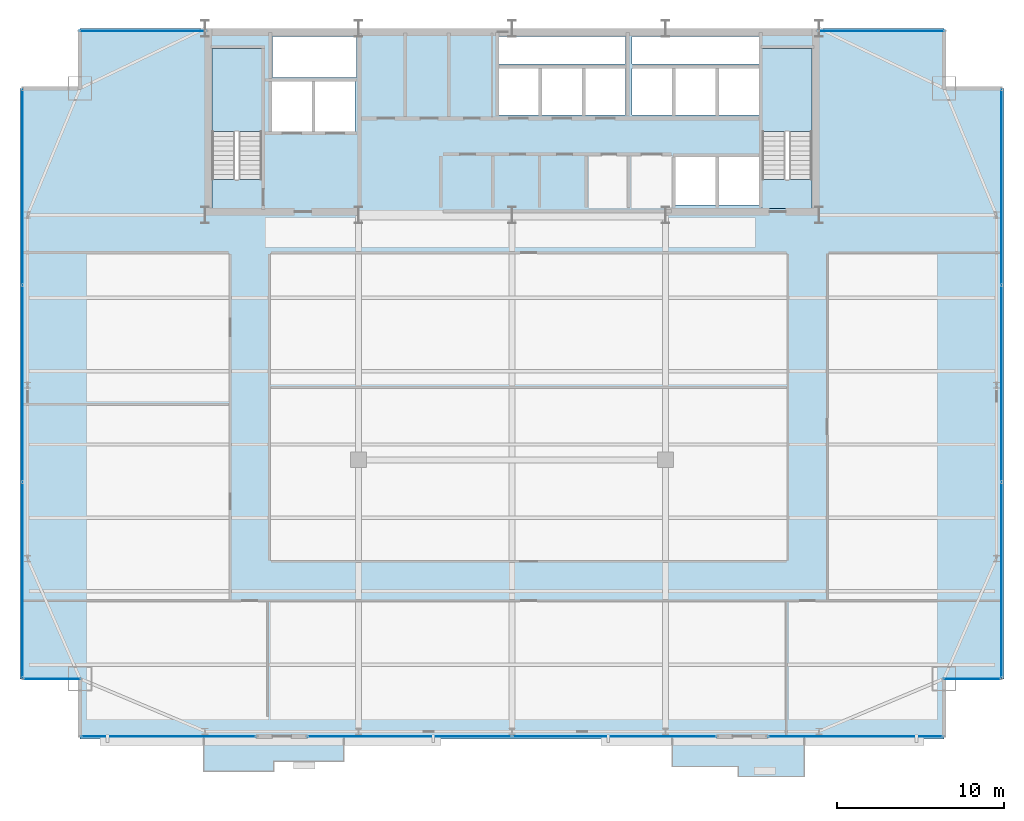
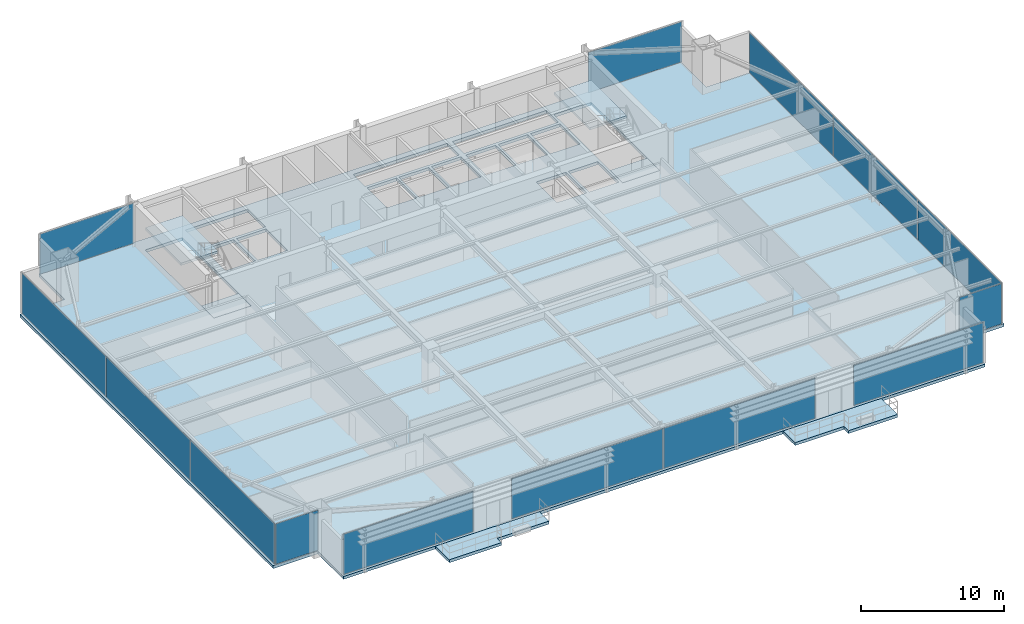
# One storey, part 27 of 34: 14 plates, 7 slabs, 11 elements without a shape of their own.
"""IFC4 building model written with IfcOpenShell, lengths in metres."""

from ifc_helpers import new_model, si_unit, direction, frame, origin, origin_2d, place, context, subcontext, project, spatial, polyline, rectangle, outline, extrude, source, transform, mapped, material, layer, layer_set, type_object, type_shapes, element, aggregate, save


model = new_model("IFC4")

# Units and contexts
model_context = context("Model", 3, precision=1e-05, world=origin(), true_north=direction((0.0, 1.0)))
body_context = subcontext(model_context, "Body", "Model", "MODEL_VIEW")
ifc_project = project(units=[si_unit("LENGTHUNIT", "METRE"), si_unit("AREAUNIT", "SQUARE_METRE"), si_unit("VOLUMEUNIT", "CUBIC_METRE"), si_unit("PLANEANGLEUNIT", "RADIAN"), si_unit("MASSUNIT", "GRAM", prefix="KILO")], contexts=[model_context])

# Site, building, storey
site_placement = place(None, origin())
site = spatial("IfcSite", under=ifc_project, at=site_placement, CompositionType="ELEMENT")
building_placement = place(site_placement, origin())
building = spatial("IfcBuilding", under=site, at=building_placement, Name="Varnel Quay Broadcast Tower", CompositionType="ELEMENT")
storey_placement = place(building_placement, frame((0.0, 0.0, 110.60009765625)))
storey = spatial("IfcBuildingStorey", under=building, at=storey_placement, Name="L26", CompositionType="ELEMENT", Elevation=110.60009765625)

# Slabs
ifc_material_1 = material(Name="Concrete CSA A23.3 C40/50", Category="concrete")
ifc_layer_1 = layer(ifc_material_1, 0.25, Name="Concrete CSA A23.3 C40/50")
ifc_layer_set_1 = layer_set([ifc_layer_1], Name="Concrete CSA A23.3 C40/50")
slab_type_1 = type_object("IfcSlabType", Name="Slab_ExtTerrace250", PredefinedType="FLOOR", material=ifc_layer_set_1)
slab_1_placement = place(storey_placement, frame((0.0, 0.0, -0.25)))
element("IfcSlab", 1, at=slab_1_placement, inside=storey, type_object=slab_type_1, Name="L26 Planted Lobe Terrace Slab 1", PredefinedType="FLOOR", context=body_context, shape_type="SweptSolid", body=[
    extrude(outline(polyline([(15.52001953125, 2.260986328125), (19.719970703125, 2.260986328125), (19.719970703125, 2.861083984375), (23.919921875, 2.861083984375), (23.919921875, 4.199951171875), (15.52001953125, 4.199951171875), (15.52001953125, 2.260986328125)])), origin(), (0.0, 0.0, 1.0), 0.25),
])
slab_2_placement = place(storey_placement, frame((0.0, 0.0, -0.25)))
element("IfcSlab", 2, at=slab_2_placement, inside=storey, type_object=slab_type_1, Name="L26 Planted Lobe Terrace Slab 2", PredefinedType="FLOOR", context=body_context, shape_type="SweptSolid", body=[
    extrude(outline(polyline([(43.60009765625, 2.5390625), (47.56005859375, 2.5390625), (47.56005859375, 1.93896484375), (51.52001953125, 1.93896484375), (51.52001953125, 4.199951171875), (43.60009765625, 4.199951171875), (43.60009765625, 2.5390625)])), origin(), (0.0, 0.0, 1.0), 0.25),
])
ifc_material_2 = material(Name="Concrete CSA A23.3 C50/60", Category="concrete")
ifc_layer_2 = layer(ifc_material_2, 0.25, Name="Concrete CSA A23.3 C50/60")
ifc_layer_set_2 = layer_set([ifc_layer_2], Name="Concrete CSA A23.3 C50/60")
slab_type_2 = type_object("IfcSlabType", Name="Slab_Floor250", PredefinedType="FLOOR", material=ifc_layer_set_2)
slab_3_placement = place(storey_placement, frame((0.0, 0.0, -0.25)))
element("IfcSlab", 3, at=slab_3_placement, inside=storey, type_object=slab_type_2, Name="L26 Structural Slab", PredefinedType="FLOOR", context=body_context, shape_type="SweptSolid", body=[
    extrude(outline(polyline([(8.10009765625, 4.199951171875), (59.89990234375, 4.199951171875), (59.89990234375, 7.800048828125), (63.5, 7.800048828125), (63.5, 43.199951171875), (59.89990234375, 43.199951171875), (59.89990234375, 46.800048828125), (8.10009765625, 46.800048828125), (8.10009765625, 43.199951171875), (4.5, 43.199951171875), (4.5, 7.800048828125), (8.10009765625, 7.800048828125), (8.10009765625, 4.199951171875)]), holes=[polyline([(19.0, 36.0), (16.0, 36.0), (16.0, 45.60009765625), (19.0, 45.60009765625), (19.0, 36.0)]), polyline([(19.60009765625, 43.60009765625), (22.0, 43.60009765625), (22.0, 40.60009765625), (19.60009765625, 40.60009765625), (19.60009765625, 43.60009765625)]), polyline([(22.199951171875, 43.60009765625), (24.60009765625, 43.60009765625), (24.60009765625, 40.60009765625), (22.199951171875, 40.60009765625), (22.199951171875, 43.60009765625)]), polyline([(33.199951171875, 44.39990234375), (35.60009765625, 44.39990234375), (35.60009765625, 41.60009765625), (33.199951171875, 41.60009765625), (33.199951171875, 44.39990234375)]), polyline([(35.800048828125, 44.39990234375), (38.199951171875, 44.39990234375), (38.199951171875, 41.60009765625), (35.800048828125, 41.60009765625), (35.800048828125, 44.39990234375)]), polyline([(38.39990234375, 44.39990234375), (40.800048828125, 44.39990234375), (40.800048828125, 41.60009765625), (38.39990234375, 41.60009765625), (38.39990234375, 44.39990234375)]), polyline([(19.64990234375, 46.300048828125), (24.679931640625, 46.300048828125), (24.679931640625, 43.85009765625), (19.64990234375, 43.85009765625), (19.64990234375, 46.300048828125)]), polyline([(33.199951171875, 46.300048828125), (40.800048828125, 46.300048828125), (40.800048828125, 44.64990234375), (33.199951171875, 44.64990234375), (33.199951171875, 46.300048828125)]), polyline([(43.800048828125, 39.10009765625), (46.199951171875, 39.10009765625), (46.199951171875, 36.199951171875), (43.800048828125, 36.199951171875), (43.800048828125, 39.10009765625)]), polyline([(46.39990234375, 39.10009765625), (48.800048828125, 39.10009765625), (48.800048828125, 36.199951171875), (46.39990234375, 36.199951171875), (46.39990234375, 39.10009765625)]), polyline([(49.0, 36.0), (49.0, 45.60009765625), (52.0, 45.60009765625), (52.0, 36.0), (49.0, 36.0)]), polyline([(41.199951171875, 44.39990234375), (43.60009765625, 44.39990234375), (43.60009765625, 41.60009765625), (41.199951171875, 41.60009765625), (41.199951171875, 44.39990234375)]), polyline([(43.800048828125, 44.39990234375), (46.199951171875, 44.39990234375), (46.199951171875, 41.60009765625), (43.800048828125, 41.60009765625), (43.800048828125, 44.39990234375)]), polyline([(46.39990234375, 44.39990234375), (48.800048828125, 44.39990234375), (48.800048828125, 41.60009765625), (46.39990234375, 41.60009765625), (46.39990234375, 44.39990234375)]), polyline([(41.199951171875, 46.300048828125), (48.800048828125, 46.300048828125), (48.800048828125, 44.64990234375), (41.199951171875, 44.64990234375), (41.199951171875, 46.300048828125)])]), origin(), (0.0, 0.0, 1.0), 0.25),
])
ifc_layer_3 = layer(ifc_material_2, 0.25, Name="Concrete CSA A23.3 C50/60")
ifc_layer_set_3 = layer_set([ifc_layer_3], Name="Concrete CSA A23.3 C50/60")
slab_type_3 = type_object("IfcSlabType", Name="Slab_StairFloorLanding250", PredefinedType="FLOOR", material=ifc_layer_set_3)
slab_4_placement = place(storey_placement, frame((0.0, 0.0, -0.25)))
element("IfcSlab", 4, at=slab_4_placement, inside=storey, type_object=slab_type_3, Name="L26 ST-01 Structural Floor Landing Slab", PredefinedType="FLOOR", context=body_context, shape_type="SweptSolid", body=[
    extrude(outline(polyline([(19.0, 36.0), (19.0, 37.75), (16.0, 37.75), (16.0, 36.0), (19.0, 36.0)])), origin(), (0.0, 0.0, 1.0), 0.25),
])
slab_5_placement = place(storey_placement, frame((0.0, 0.0, -0.25)))
element("IfcSlab", 5, at=slab_5_placement, inside=storey, type_object=slab_type_3, Name="L26 ST-02 Structural Floor Landing Slab", PredefinedType="FLOOR", context=body_context, shape_type="SweptSolid", body=[
    extrude(outline(polyline([(52.0, 36.0), (52.0, 37.75), (49.0, 37.75), (49.0, 36.0), (52.0, 36.0)])), origin(), (0.0, 0.0, 1.0), 0.25),
])

# Stair, slab
ifc_material_3 = material(Name="Precast Structural Concrete C40/50", Category="concrete")
stair_type_1 = type_object("IfcStairType", Name="Stair_ST-01", PredefinedType="HALF_TURN_STAIR", material=ifc_material_3)
stair_1_placement = place(storey_placement, origin())
stair_1 = element("IfcStair", 6, at=stair_1_placement, inside=storey, type_object=stair_type_1, Name="L26 West Core Exit Stair 1", PredefinedType="HALF_TURN_STAIR")
ifc_layer_4 = layer(ifc_material_3, 0.199951171875, Name="Precast Structural Concrete C40/50")
ifc_layer_set_4 = layer_set([ifc_layer_4], Name="Precast Structural Concrete C40/50")
slab_type_4 = type_object("IfcSlabType", Name="Slab_StairLanding200", PredefinedType="LANDING", material=ifc_layer_set_4)
slab_6_placement = place(storey_placement, frame((0.0, 0.0, 1.699951171875)))
slab_6 = element("IfcSlab", 7, at=slab_6_placement, type_object=slab_type_4, Name="ST-01 landing 1", PredefinedType="LANDING", context=body_context, shape_type="SweptSolid", body=[
    extrude(outline(polyline([(19.0, 40.60009765625), (19.0, 45.60009765625), (16.0, 45.60009765625), (16.0, 40.60009765625), (19.0, 40.60009765625)])), origin(), (0.0, 0.0, 1.0), 0.199951171875),
])
aggregate(stair_1, [slab_6])

stair_type_2 = type_object("IfcStairType", Name="Stair_ST-02", PredefinedType="HALF_TURN_STAIR", material=ifc_material_3)
stair_2_placement = place(storey_placement, origin())
stair_2 = element("IfcStair", 8, at=stair_2_placement, inside=storey, type_object=stair_type_2, Name="L26 East Core Exit Stair 2", PredefinedType="HALF_TURN_STAIR")
slab_7_placement = place(storey_placement, frame((0.0, 0.0, 1.699951171875)))
slab_7 = element("IfcSlab", 9, at=slab_7_placement, type_object=slab_type_4, Name="ST-02 landing 1", PredefinedType="LANDING", context=body_context, shape_type="SweptSolid", body=[
    extrude(outline(polyline([(52.0, 40.60009765625), (52.0, 45.60009765625), (49.0, 45.60009765625), (49.0, 40.60009765625), (52.0, 40.60009765625)])), origin(), (0.0, 0.0, 1.0), 0.199951171875),
])
aggregate(stair_2, [slab_7])

# Curtain wall, plate
ifc_material_4 = material(Name="Anodised Bronze Aluminium 6063-T6", Category="aluminium")
ifc_layer_5 = layer(ifc_material_4, 0.18994140625, Name="Anodised Bronze Aluminium 6063-T6")
ifc_layer_set_5 = layer_set([ifc_layer_5], Name="Anodised Bronze Aluminium 6063-T6")
curtain_wall_type_1 = type_object("IfcCurtainWallType", Name="CW_LowerTower", PredefinedType="NOTDEFINED", material=ifc_layer_set_5)
curtain_wall_1_placement = place(storey_placement, origin())
curtain_wall_1 = element("IfcCurtainWall", 10, at=curtain_wall_1_placement, inside=storey, type_object=curtain_wall_type_1, Name="L26 West Unitised Curtain Wall", PredefinedType="NOTDEFINED")
ifc_material_5 = material(Name="Insulated Bronze Spandrel Glass", Category="glass")
ifc_layer_6 = layer(ifc_material_5, 0.031982421875, Name="Insulated Bronze Spandrel Glass")
ifc_layer_set_6 = layer_set([ifc_layer_6], Name="Insulated Bronze Spandrel Glass")
plate_type_1 = type_object("IfcPlateType", Name="PanelSp_CWS-02", PredefinedType="CURTAIN_PANEL", material=ifc_layer_set_6)
shared_shape_1 = source(origin(), body_context, "Body", "SweptSolid", [
    extrude(rectangle(XDim=11.72998046875, YDim=0.031982421875, at=origin_2d()), origin(), (0.0, 0.0, 1.0), 3.429931640625),
])
plate_1_placement = place(storey_placement, frame((4.64990234375, 25.5, 0.06005859375), z_axis=(0.0, 0.0, 1.0), x_axis=(0.0, 1.0, 0.0)))
plate_1 = element("IfcPlate", 11, at=plate_1_placement, type_object=plate_type_1, Name="CWS-02 panel 2.1", PredefinedType="CURTAIN_PANEL", context=body_context, shape_type="MappedRepresentation", body=[
    mapped(shared_shape_1, transform((0.0, 0.0, 0.0), x_axis=(1.0, 0.0, 0.0), y_axis=(0.0, 1.0, 0.0), z_axis=(0.0, 0.0, 1.0), scale=1.0)),
])

curtain_wall_2_placement = place(storey_placement, origin())
curtain_wall_2 = element("IfcCurtainWall", 12, at=curtain_wall_2_placement, inside=storey, type_object=curtain_wall_type_1, Name="L26 East Unitised Curtain Wall", PredefinedType="NOTDEFINED")
plate_2_placement = place(storey_placement, frame((63.35009765625, 25.5, 0.06005859375), z_axis=(0.0, 0.0, 1.0), x_axis=(0.0, 1.0, 0.0)))
plate_2 = element("IfcPlate", 13, at=plate_2_placement, type_object=plate_type_1, Name="CWS-02 panel 2.1", PredefinedType="CURTAIN_PANEL", context=body_context, shape_type="MappedRepresentation", body=[
    mapped(shared_shape_1, transform((0.0, 0.0, 0.0), x_axis=(1.0, 0.0, 0.0), y_axis=(0.0, 1.0, 0.0), z_axis=(0.0, 0.0, 1.0), scale=1.0)),
])

ifc_layer_7 = layer(ifc_material_4, 0.18994140625, Name="Anodised Bronze Aluminium 6063-T6")
ifc_layer_set_7 = layer_set([ifc_layer_7], Name="Anodised Bronze Aluminium 6063-T6")
curtain_wall_type_2 = type_object("IfcCurtainWallType", Name="CW_NotchCorner", PredefinedType="NOTDEFINED", material=ifc_layer_set_7)
curtain_wall_3_placement = place(storey_placement, origin())
curtain_wall_3 = element("IfcCurtainWall", 14, at=curtain_wall_3_placement, inside=storey, type_object=curtain_wall_type_2, Name="L26 SW Notch Curtain Wall", PredefinedType="NOTDEFINED")
ifc_material_6 = material(Name="Triple-Glazed Bronze Low-E Architectural Glass", Category="glass")
ifc_layer_8 = layer(ifc_material_6, 0.028076171875, Name="Triple-Glazed Bronze Low-E Architectural Glass")
ifc_layer_set_8 = layer_set([ifc_layer_8], Name="Triple-Glazed Bronze Low-E Architectural Glass")
plate_type_2 = type_object("IfcPlateType", Name="Panel_CWS-04", PredefinedType="CURTAIN_PANEL", material=ifc_layer_set_8)
shared_shape_2 = source(origin(), body_context, "Body", "SweptSolid", [
    extrude(rectangle(XDim=3.409912109375, YDim=0.028076171875, at=origin_2d()), origin(), (0.0, 0.0, 1.0), 3.43994140625),
])
type_shapes(plate_type_2, [shared_shape_2])
plate_3_placement = place(storey_placement, frame((6.4150390625, 7.800048828125, 0.054931640625), z_axis=(0.0, 0.0, 1.0), x_axis=(1.0, 0.0, 0.0)))
plate_3 = element("IfcPlate", 15, at=plate_3_placement, type_object=plate_type_2, Name="CWS-04 panel 1.1", PredefinedType="CURTAIN_PANEL", context=body_context, shape_type="MappedRepresentation", body=[
    mapped(shared_shape_2, transform((0.0, 0.0, 0.0), x_axis=(1.0, 0.0, 0.0), y_axis=(0.0, 1.0, 0.0), z_axis=(0.0, 0.0, 1.0), scale=1.0)),
])
aggregate(curtain_wall_3, [plate_3])

curtain_wall_4_placement = place(storey_placement, origin())
curtain_wall_4 = element("IfcCurtainWall", 16, at=curtain_wall_4_placement, inside=storey, type_object=curtain_wall_type_2, Name="L26 SE Notch Curtain Wall", PredefinedType="NOTDEFINED")
plate_4_placement = place(storey_placement, frame((61.5849609375, 7.800048828125, 0.054931640625), z_axis=(0.0, 0.0, 1.0), x_axis=(1.0, 0.0, 0.0)))
plate_4 = element("IfcPlate", 17, at=plate_4_placement, type_object=plate_type_2, Name="CWS-04 panel 1.1", PredefinedType="CURTAIN_PANEL", context=body_context, shape_type="MappedRepresentation", body=[
    mapped(shared_shape_2, transform((0.0, 0.0, 0.0), x_axis=(1.0, 0.0, 0.0), y_axis=(0.0, 1.0, 0.0), z_axis=(0.0, 0.0, 1.0), scale=1.0)),
])
aggregate(curtain_wall_4, [plate_4])

curtain_wall_5_placement = place(storey_placement, origin())
curtain_wall_5 = element("IfcCurtainWall", 18, at=curtain_wall_5_placement, inside=storey, type_object=curtain_wall_type_1, Name="L26 NW Wing Curtain Wall", PredefinedType="NOTDEFINED")
ifc_layer_9 = layer(ifc_material_6, 0.031982421875, Name="Triple-Glazed Bronze Low-E Architectural Glass")
ifc_layer_set_9 = layer_set([ifc_layer_9], Name="Triple-Glazed Bronze Low-E Architectural Glass")
plate_type_3 = type_object("IfcPlateType", Name="Panel_CWS-02", PredefinedType="CURTAIN_PANEL", material=ifc_layer_set_9)
shared_shape_3 = source(origin(), body_context, "Body", "SweptSolid", [
    extrude(rectangle(XDim=7.5400390625, YDim=0.031982421875, at=origin_2d()), origin(), (0.0, 0.0, 1.0), 3.429931640625),
])
plate_5_placement = place(storey_placement, frame((11.860107421875, 46.64990234375, 0.06005859375), z_axis=(0.0, 0.0, 1.0), x_axis=(1.0, 0.0, 0.0)))
plate_5 = element("IfcPlate", 19, at=plate_5_placement, type_object=plate_type_3, Name="CWS-02 panel 1.1", PredefinedType="CURTAIN_PANEL", context=body_context, shape_type="MappedRepresentation", body=[
    mapped(shared_shape_3, transform((0.0, 0.0, 0.0), x_axis=(1.0, 0.0, 0.0), y_axis=(0.0, 1.0, 0.0), z_axis=(0.0, 0.0, 1.0), scale=1.0)),
])
aggregate(curtain_wall_5, [plate_5])

curtain_wall_6_placement = place(storey_placement, origin())
curtain_wall_6 = element("IfcCurtainWall", 20, at=curtain_wall_6_placement, inside=storey, type_object=curtain_wall_type_1, Name="L26 NE Wing Curtain Wall", PredefinedType="NOTDEFINED")
plate_6_placement = place(storey_placement, frame((56.139892578125, 46.64990234375, 0.06005859375), z_axis=(0.0, 0.0, 1.0), x_axis=(1.0, 0.0, 0.0)))
plate_6 = element("IfcPlate", 21, at=plate_6_placement, type_object=plate_type_3, Name="CWS-02 panel 1.1", PredefinedType="CURTAIN_PANEL", context=body_context, shape_type="MappedRepresentation", body=[
    mapped(shared_shape_3, transform((0.0, 0.0, 0.0), x_axis=(1.0, 0.0, 0.0), y_axis=(0.0, 1.0, 0.0), z_axis=(0.0, 0.0, 1.0), scale=1.0)),
])
aggregate(curtain_wall_6, [plate_6])

curtain_wall_7_placement = place(storey_placement, origin())
curtain_wall_7 = element("IfcCurtainWall", 22, at=curtain_wall_7_placement, inside=storey, type_object=curtain_wall_type_1, Name="L26 South Unitised Curtain Wall 1", PredefinedType="NOTDEFINED")
shared_shape_4 = source(origin(), body_context, "Body", "SweptSolid", [
    extrude(rectangle(XDim=10.47998046875, YDim=0.031982421875, at=origin_2d()), origin(), (0.0, 0.0, 1.0), 3.429931640625),
])
plate_7_placement = place(storey_placement, frame((13.409912109375, 4.35009765625, 0.06005859375), z_axis=(0.0, 0.0, 1.0), x_axis=(1.0, 0.0, 0.0)))
plate_7 = element("IfcPlate", 23, at=plate_7_placement, type_object=plate_type_3, Name="CWS-02 panel 1.1", PredefinedType="CURTAIN_PANEL", context=body_context, shape_type="MappedRepresentation", body=[
    mapped(shared_shape_4, transform((0.0, 0.0, 0.0), x_axis=(1.0, 0.0, 0.0), y_axis=(0.0, 1.0, 0.0), z_axis=(0.0, 0.0, 1.0), scale=1.0)),
])
aggregate(curtain_wall_7, [plate_7])

curtain_wall_8_placement = place(storey_placement, origin())
curtain_wall_8 = element("IfcCurtainWall", 24, at=curtain_wall_8_placement, inside=storey, type_object=curtain_wall_type_1, Name="L26 South Unitised Curtain Wall 3", PredefinedType="NOTDEFINED")
plate_8_placement = place(storey_placement, frame((54.590087890625, 4.35009765625, 0.06005859375), z_axis=(0.0, 0.0, 1.0), x_axis=(1.0, 0.0, 0.0)))
plate_8 = element("IfcPlate", 25, at=plate_8_placement, type_object=plate_type_3, Name="CWS-02 panel 1.1", PredefinedType="CURTAIN_PANEL", context=body_context, shape_type="MappedRepresentation", body=[
    mapped(shared_shape_4, transform((0.0, 0.0, 0.0), x_axis=(1.0, 0.0, 0.0), y_axis=(0.0, 1.0, 0.0), z_axis=(0.0, 0.0, 1.0), scale=1.0)),
])
aggregate(curtain_wall_8, [plate_8])

# Curtain wall, plates
curtain_wall_9_placement = place(storey_placement, origin())
curtain_wall_9 = element("IfcCurtainWall", 26, at=curtain_wall_9_placement, inside=storey, type_object=curtain_wall_type_1, Name="L26 South Unitised Curtain Wall 2", PredefinedType="NOTDEFINED")
shared_shape_5 = source(origin(), body_context, "Body", "SweptSolid", [
    extrude(rectangle(XDim=12.215087890625, YDim=0.031982421875, at=origin_2d()), origin(), (0.0, 0.0, 1.0), 3.429931640625),
])
type_shapes(plate_type_1, [shared_shape_1, shared_shape_5])
plate_9_placement = place(storey_placement, frame((27.857421875, 4.35009765625, 0.06005859375), z_axis=(0.0, 0.0, 1.0), x_axis=(1.0, 0.0, 0.0)))
plate_9 = element("IfcPlate", 27, at=plate_9_placement, type_object=plate_type_1, Name="CWS-02 panel 1.1", PredefinedType="CURTAIN_PANEL", context=body_context, shape_type="MappedRepresentation", body=[
    mapped(shared_shape_5, transform((0.0, 0.0, 0.0), x_axis=(1.0, 0.0, 0.0), y_axis=(0.0, 1.0, 0.0), z_axis=(0.0, 0.0, 1.0), scale=1.0)),
])
plate_10_placement = place(storey_placement, frame((40.142578125, 4.35009765625, 0.06005859375), z_axis=(0.0, 0.0, 1.0), x_axis=(1.0, 0.0, 0.0)))
plate_10 = element("IfcPlate", 28, at=plate_10_placement, type_object=plate_type_1, Name="CWS-02 panel 2.1", PredefinedType="CURTAIN_PANEL", context=body_context, shape_type="MappedRepresentation", body=[
    mapped(shared_shape_5, transform((0.0, 0.0, 0.0), x_axis=(1.0, 0.0, 0.0), y_axis=(0.0, 1.0, 0.0), z_axis=(0.0, 0.0, 1.0), scale=1.0)),
])
aggregate(curtain_wall_9, [plate_9, plate_10])

# Plate
shared_shape_6 = source(origin(), body_context, "Body", "SweptSolid", [
    extrude(rectangle(XDim=11.695068359375, YDim=0.031982421875, at=origin_2d()), origin(), (0.0, 0.0, 1.0), 3.429931640625),
])
type_shapes(plate_type_3, [shared_shape_3, shared_shape_4, shared_shape_6])
plate_11_placement = place(storey_placement, frame((4.64990234375, 13.717529296875, 0.06005859375), z_axis=(0.0, 0.0, 1.0), x_axis=(0.0, 1.0, 0.0)))
plate_11 = element("IfcPlate", 29, at=plate_11_placement, type_object=plate_type_3, Name="CWS-02 panel 1.1", PredefinedType="CURTAIN_PANEL", context=body_context, shape_type="MappedRepresentation", body=[
    mapped(shared_shape_6, transform((0.0, 0.0, 0.0), x_axis=(1.0, 0.0, 0.0), y_axis=(0.0, 1.0, 0.0), z_axis=(0.0, 0.0, 1.0), scale=1.0)),
])

plate_12_placement = place(storey_placement, frame((4.64990234375, 37.282470703125, 0.06005859375), z_axis=(0.0, 0.0, 1.0), x_axis=(0.0, 1.0, 0.0)))
plate_12 = element("IfcPlate", 30, at=plate_12_placement, type_object=plate_type_3, Name="CWS-02 panel 3.1", PredefinedType="CURTAIN_PANEL", context=body_context, shape_type="MappedRepresentation", body=[
    mapped(shared_shape_6, transform((0.0, 0.0, 0.0), x_axis=(1.0, 0.0, 0.0), y_axis=(0.0, 1.0, 0.0), z_axis=(0.0, 0.0, 1.0), scale=1.0)),
])

aggregate(curtain_wall_1, [plate_11, plate_1, plate_12])

plate_13_placement = place(storey_placement, frame((63.35009765625, 13.717529296875, 0.06005859375), z_axis=(0.0, 0.0, 1.0), x_axis=(0.0, 1.0, 0.0)))
plate_13 = element("IfcPlate", 31, at=plate_13_placement, type_object=plate_type_3, Name="CWS-02 panel 1.1", PredefinedType="CURTAIN_PANEL", context=body_context, shape_type="MappedRepresentation", body=[
    mapped(shared_shape_6, transform((0.0, 0.0, 0.0), x_axis=(1.0, 0.0, 0.0), y_axis=(0.0, 1.0, 0.0), z_axis=(0.0, 0.0, 1.0), scale=1.0)),
])

plate_14_placement = place(storey_placement, frame((63.35009765625, 37.282470703125, 0.06005859375), z_axis=(0.0, 0.0, 1.0), x_axis=(0.0, 1.0, 0.0)))
plate_14 = element("IfcPlate", 32, at=plate_14_placement, type_object=plate_type_3, Name="CWS-02 panel 3.1", PredefinedType="CURTAIN_PANEL", context=body_context, shape_type="MappedRepresentation", body=[
    mapped(shared_shape_6, transform((0.0, 0.0, 0.0), x_axis=(1.0, 0.0, 0.0), y_axis=(0.0, 1.0, 0.0), z_axis=(0.0, 0.0, 1.0), scale=1.0)),
])

aggregate(curtain_wall_2, [plate_13, plate_2, plate_14])

save(model, "model.ifc")
